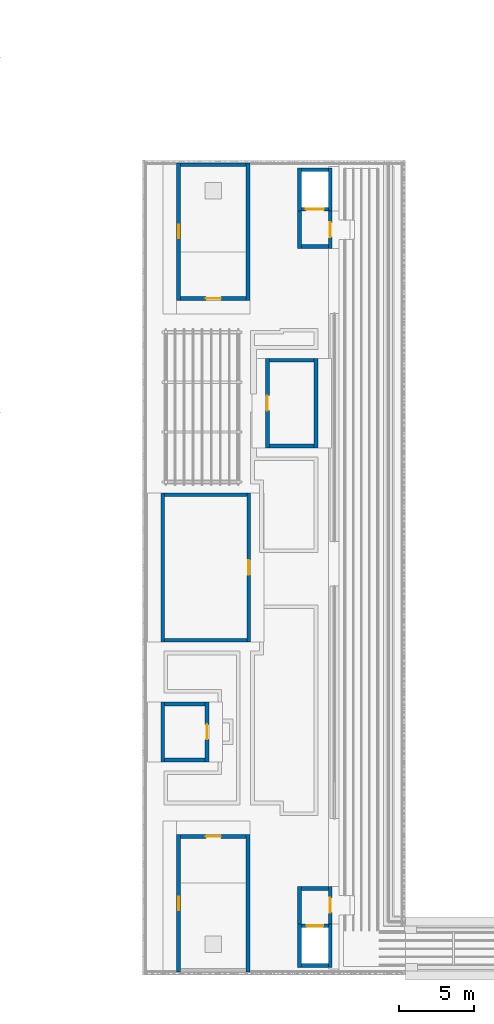
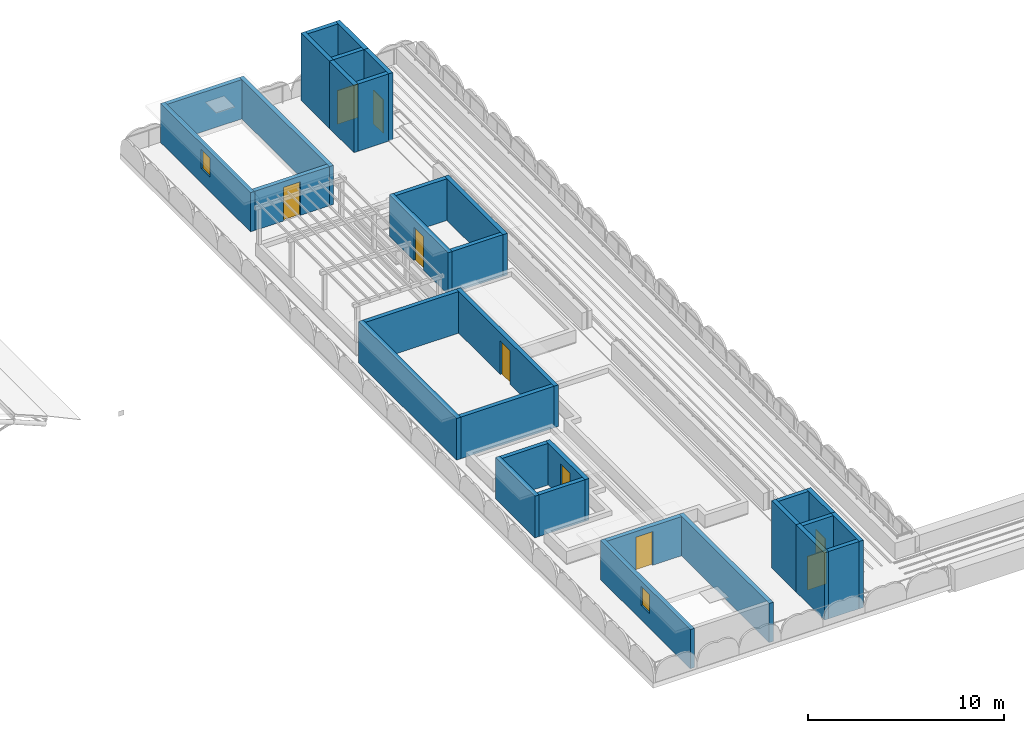
# One storey, part 10 of 22: 33 walls, 9 doors, 2 windows, 11 openings.
"""IFC4 building model written with IfcOpenShell, lengths in metres."""

from ifc_helpers import new_model, si_unit, direction, frame, frame_2d, origin, place, context, subcontext, project, spatial, rectangle, extrude, material, layer, layer_set, type_object, element, fill, save


model = new_model("IFC4")

# Units and contexts
model_context = context("Model", 3, precision=1e-05, world=origin(), true_north=direction((0.0, 1.0)))
body_context = subcontext(model_context, "Body", "Model", "MODEL_VIEW")
ifc_project = project(units=[si_unit("LENGTHUNIT", "METRE"), si_unit("AREAUNIT", "SQUARE_METRE"), si_unit("VOLUMEUNIT", "CUBIC_METRE"), si_unit("PLANEANGLEUNIT", "RADIAN"), si_unit("MASSUNIT", "GRAM", prefix="KILO")], contexts=[model_context])

# Site, building, storey
site_placement = place(None, origin())
site = spatial("IfcSite", under=ifc_project, at=site_placement, CompositionType="ELEMENT")
building_placement = place(site_placement, origin())
building = spatial("IfcBuilding", under=site, at=building_placement, Name="Elbe Cascade School", CompositionType="ELEMENT")
storey_placement = place(building_placement, frame((0.0, 0.0, 18.89990234375)))
storey = spatial("IfcBuildingStorey", under=building, at=storey_placement, Name="R05", CompositionType="ELEMENT", Elevation=18.89990234375)

# Wall
ifc_material_1 = material(Name="Concrete C30/37", Category="concrete")
ifc_layer_1 = layer(ifc_material_1, 0.25)
ifc_layer_set_1 = layer_set([ifc_layer_1], Name="Concrete C30/37")
wall_type_1 = type_object("IfcWallType", Name="Bar roof room wall RC 250", PredefinedType="SOLIDWALL", material=ifc_layer_set_1)
wall_1_placement = place(storey_placement, frame((70.125, 28.0, 0.0), z_axis=(0.0, 0.0, 1.0), x_axis=(0.0, 1.0, 0.0)))
element("IfcWall", 1, at=wall_1_placement, inside=storey, type_object=wall_type_1, Name="Bar roof room wall RC 250 W34", PredefinedType="SOLIDWALL", context=body_context, shape_type="SweptSolid", body=[
    extrude(rectangle(XDim=10.0, YDim=0.25, at=frame_2d((5.0, 0.0))), origin(), (0.0, 0.0, 1.0), 2.60009765625),
])

# Wall, opening, door
wall_2_placement = place(storey_placement, frame((75.875, 38.0, 0.0), z_axis=(0.0, 0.0, 1.0), x_axis=(0.0, -1.0, 0.0)))
wall_2 = element("IfcWall", 2, at=wall_2_placement, inside=storey, type_object=wall_type_1, Name="Bar roof room wall RC 250 W34", PredefinedType="SOLIDWALL", context=body_context, shape_type="SweptSolid", body=[
    extrude(rectangle(XDim=10.0, YDim=0.25, at=frame_2d((5.0, 0.0))), origin(), (0.0, 0.0, 1.0), 2.60009765625),
])
opening_1_placement = place(wall_2_placement, frame((4.5, 0.0, 0.0)))
opening_1 = element("IfcOpeningElement", 3, at=opening_1_placement, cuts=wall_2, Name="Opening D5.005", PredefinedType="OPENING", context=body_context, shape_type="SweptSolid", body=[
    extrude(rectangle(XDim=1.0, YDim=2.10009765625, at=frame_2d((0.5, 1.050048828125))), frame((0.0, 0.135009765625, 0.0), z_axis=(0.0, -1.0, 0.0), x_axis=(1.0, 0.0, 0.0)), (0.0, 0.0, 1.0), 0.27001953125),
])
ifc_material_2 = material(Name="Timber door leaf, fire-resisting, steel frame", Category="steel")
door_type_1 = type_object("IfcDoorType", Name="Bar door FD30 1000x2100", OperationType="NOTDEFINED", PredefinedType="DOOR", material=ifc_material_2)
door_1_placement = place(opening_1_placement, origin())
door_1 = element("IfcDoor", 4, at=door_1_placement, inside=storey, type_object=door_type_1, Name="Door A5.01", OperationType="SINGLE_SWING_LEFT", OverallHeight=2.10009765625, OverallWidth=1.0, PredefinedType="DOOR", context=body_context, shape_type="SweptSolid", body=[
    extrude(rectangle(XDim=1.0, YDim=2.10009765625, at=frame_2d((0.5, 1.050048828125))), frame((0.0, 0.02490234375, 0.0), z_axis=(0.0, -1.0, 0.0), x_axis=(1.0, 0.0, 0.0)), (0.0, 0.0, 1.0), 0.050048828125),
])
fill(opening_1, door_1)

# Walls
for number, where, z_axis, x_axis, name in (
    (5, (70.25, 28.125, 0.0), (0.0, 0.0, 1.0), (1.0, 0.0, 0.0), "Bar roof room wall RC 250 W34"),
    (6, (70.25, 37.875, 0.0), (0.0, 0.0, 1.0), (1.0, 0.0, 0.0), "Bar roof room wall RC 250 W34"),
):
    element("IfcWall", number, at=place(storey_placement, frame(where, z_axis=z_axis, x_axis=x_axis)), inside=storey, type_object=wall_type_1, Name=name, PredefinedType="SOLIDWALL", context=body_context, shape_type="SweptSolid", body=[
        extrude(rectangle(XDim=5.5, YDim=0.25, at=frame_2d((2.75, 0.0))), origin(), (0.0, 0.0, 1.0), 2.60009765625),
    ])
wall_3_placement = place(storey_placement, frame((70.125, 20.0, 0.0), z_axis=(0.0, 0.0, 1.0), x_axis=(0.0, 1.0, 0.0)))
element("IfcWall", 7, at=wall_3_placement, inside=storey, type_object=wall_type_1, Name="Bar roof room wall RC 250 W34", PredefinedType="SOLIDWALL", context=body_context, shape_type="SweptSolid", body=[
    extrude(rectangle(XDim=4.0, YDim=0.25, at=frame_2d((2.0, 0.0))), origin(), (0.0, 0.0, 1.0), 2.60009765625),
])

# Wall, opening, door
wall_4_placement = place(storey_placement, frame((73.074951171875, 24.0, 0.0), z_axis=(0.0, 0.0, 1.0), x_axis=(0.0, -1.0, 0.0)))
wall_4 = element("IfcWall", 8, at=wall_4_placement, inside=storey, type_object=wall_type_1, Name="Bar roof room wall RC 250 W34", PredefinedType="SOLIDWALL", context=body_context, shape_type="SweptSolid", body=[
    extrude(rectangle(XDim=4.0, YDim=0.25, at=frame_2d((2.0, 0.0))), origin(), (0.0, 0.0, 1.0), 2.60009765625),
])
opening_2_placement = place(wall_4_placement, frame((1.5, 0.0, 0.0)))
opening_2 = element("IfcOpeningElement", 9, at=opening_2_placement, cuts=wall_4, Name="Opening D5.004", PredefinedType="OPENING", context=body_context, shape_type="SweptSolid", body=[
    extrude(rectangle(XDim=1.0, YDim=2.10009765625, at=frame_2d((0.5, 1.050048828125))), frame((0.0, 0.135009765625, 0.0), z_axis=(0.0, -1.0, 0.0), x_axis=(1.0, 0.0, 0.0)), (0.0, 0.0, 1.0), 0.27001953125),
])
door_2_placement = place(opening_2_placement, origin())
door_2 = element("IfcDoor", 10, at=door_2_placement, inside=storey, type_object=door_type_1, Name="Door A5.02", OperationType="SINGLE_SWING_LEFT", OverallHeight=2.10009765625, OverallWidth=1.0, PredefinedType="DOOR", context=body_context, shape_type="SweptSolid", body=[
    extrude(rectangle(XDim=1.0, YDim=2.10009765625, at=frame_2d((0.5, 1.050048828125))), frame((0.0, 0.02490234375, 0.0), z_axis=(0.0, -1.0, 0.0), x_axis=(1.0, 0.0, 0.0)), (0.0, 0.0, 1.0), 0.050048828125),
])
fill(opening_2, door_2)

# Walls
for number, where, z_axis, x_axis, name in (
    (11, (70.25, 20.125, 0.0), (0.0, 0.0, 1.0), (1.0, 0.0, 0.0), "Bar roof room wall RC 250 W34"),
    (12, (70.25, 23.875, 0.0), (0.0, 0.0, 1.0), (1.0, 0.0, 0.0), "Bar roof room wall RC 250 W34"),
):
    element("IfcWall", number, at=place(storey_placement, frame(where, z_axis=z_axis, x_axis=x_axis)), inside=storey, type_object=wall_type_1, Name=name, PredefinedType="SOLIDWALL", context=body_context, shape_type="SweptSolid", body=[
        extrude(rectangle(XDim=2.699951171875, YDim=0.25, at=frame_2d((1.35009765625, 0.0))), origin(), (0.0, 0.0, 1.0), 2.60009765625),
    ])

# Wall, opening, door
wall_5_placement = place(storey_placement, frame((77.125, 41.0, 0.0), z_axis=(0.0, 0.0, 1.0), x_axis=(0.0, 1.0, 0.0)))
wall_5 = element("IfcWall", 13, at=wall_5_placement, inside=storey, type_object=wall_type_1, Name="Bar roof room wall RC 250 W34", PredefinedType="SOLIDWALL", context=body_context, shape_type="SweptSolid", body=[
    extrude(rectangle(XDim=6.0, YDim=0.25, at=frame_2d((3.0, 0.0))), origin(), (0.0, 0.0, 1.0), 2.60009765625),
])
opening_3_placement = place(wall_5_placement, frame((2.5, 0.0, 0.0)))
opening_3 = element("IfcOpeningElement", 14, at=opening_3_placement, cuts=wall_5, Name="Opening D5.006", PredefinedType="OPENING", context=body_context, shape_type="SweptSolid", body=[
    extrude(rectangle(XDim=1.0, YDim=2.10009765625, at=frame_2d((0.5, 1.050048828125))), frame((0.0, 0.135009765625, 0.0), z_axis=(0.0, -1.0, 0.0), x_axis=(1.0, 0.0, 0.0)), (0.0, 0.0, 1.0), 0.27001953125),
])
door_3_placement = place(opening_3_placement, origin())
door_3 = element("IfcDoor", 15, at=door_3_placement, inside=storey, type_object=door_type_1, Name="Door A5.03", OperationType="SINGLE_SWING_LEFT", OverallHeight=2.10009765625, OverallWidth=1.0, PredefinedType="DOOR", context=body_context, shape_type="SweptSolid", body=[
    extrude(rectangle(XDim=1.0, YDim=2.10009765625, at=frame_2d((0.5, 1.050048828125))), frame((0.0, 0.02490234375, 0.0), z_axis=(0.0, -1.0, 0.0), x_axis=(1.0, 0.0, 0.0)), (0.0, 0.0, 1.0), 0.050048828125),
])
fill(opening_3, door_3)

# Walls
wall_6_placement = place(storey_placement, frame((80.375, 47.0, 0.0), z_axis=(0.0, 0.0, 1.0), x_axis=(0.0, -1.0, 0.0)))
element("IfcWall", 16, at=wall_6_placement, inside=storey, type_object=wall_type_1, Name="Bar roof room wall RC 250 W34", PredefinedType="SOLIDWALL", context=body_context, shape_type="SweptSolid", body=[
    extrude(rectangle(XDim=6.0, YDim=0.25, at=frame_2d((3.0, 0.0))), origin(), (0.0, 0.0, 1.0), 2.60009765625),
])
for number, where, z_axis, x_axis, name in (
    (17, (77.25, 41.125, 0.0), (0.0, 0.0, 1.0), (1.0, 0.0, 0.0), "Bar roof room wall RC 250 W34"),
    (18, (77.25, 46.875, 0.0), (0.0, 0.0, 1.0), (1.0, 0.0, 0.0), "Bar roof room wall RC 250 W34"),
):
    element("IfcWall", number, at=place(storey_placement, frame(where, z_axis=z_axis, x_axis=x_axis)), inside=storey, type_object=wall_type_1, Name=name, PredefinedType="SOLIDWALL", context=body_context, shape_type="SweptSolid", body=[
        extrude(rectangle(XDim=3.0, YDim=0.25, at=frame_2d((1.5, 0.0))), origin(), (0.0, 0.0, 1.0), 2.60009765625),
    ])

# Wall, opening, window
ifc_material_3 = material(Name="Concrete C30/37", Category="concrete")
ifc_layer_2 = layer(ifc_material_3, 0.25)
ifc_layer_set_2 = layer_set([ifc_layer_2], Name="Concrete C30/37")
wall_type_2 = type_object("IfcWallType", Name="Head-house wall 250", PredefinedType="SOLIDWALL", material=ifc_layer_set_2)
wall_7_placement = place(storey_placement, frame((71.175048828125, 5.929931640625, 0.0), z_axis=(0.0, 0.0, 1.0), x_axis=(0.0, 1.0, 0.0)))
wall_7 = element("IfcWall", 19, at=wall_7_placement, inside=storey, type_object=wall_type_2, Name="Head-house wall 250 W2", PredefinedType="SOLIDWALL", context=body_context, shape_type="SweptSolid", body=[
    extrude(rectangle(XDim=9.195068359375, YDim=0.25, at=frame_2d((4.59765625, 0.0))), origin(), (0.0, 0.0, 1.0), 2.4501953125),
])
opening_4_placement = place(wall_7_placement, frame((4.1474609375, 0.0, 0.89990234375)))
opening_4 = element("IfcOpeningElement", 20, at=opening_4_placement, cuts=wall_7, Name="Opening W5.003", PredefinedType="OPENING", context=body_context, shape_type="SweptSolid", body=[
    extrude(rectangle(XDim=0.89990234375, YDim=1.199951171875, at=frame_2d((0.449951171875, 0.60009765625))), frame((0.0, 0.135009765625, 0.0), z_axis=(0.0, -1.0, 0.0), x_axis=(1.0, 0.0, 0.0)), (0.0, 0.0, 1.0), 0.27001953125),
])
ifc_material_4 = material(Name="Aluminium frame with double glazing, bronze anodised", Category="aluminium")
window_type = type_object("IfcWindowType", Name="Bars envelope Head-house window 900 x 1200, stair daylight, aluminium double glazed", PartitioningType="SINGLE_PANEL", PredefinedType="WINDOW", material=ifc_material_4)
window_1_placement = place(opening_4_placement, origin())
window_1 = element("IfcWindow", 21, at=window_1_placement, inside=storey, type_object=window_type, Name="Window WN10 A.R05.head-house south", OverallHeight=1.199951171875, OverallWidth=0.89990234375, PartitioningType="SINGLE_PANEL", PredefinedType="WINDOW", context=body_context, shape_type="SweptSolid", body=[
    extrude(rectangle(XDim=0.89990234375, YDim=1.199951171875, at=frame_2d((0.449951171875, 0.60009765625))), frame((0.0, 0.030029296875, 0.0), z_axis=(0.0, -1.0, 0.0), x_axis=(1.0, 0.0, 0.0)), (0.0, 0.0, 1.0), 0.06005859375),
])
fill(opening_4, window_1)

# Wall
wall_8_placement = place(storey_placement, frame((75.824951171875, 5.929931640625, 0.0), z_axis=(0.0, 0.0, 1.0), x_axis=(0.0, 1.0, 0.0)))
element("IfcWall", 22, at=wall_8_placement, inside=storey, type_object=wall_type_2, Name="Head-house wall 250 W2", PredefinedType="SOLIDWALL", context=body_context, shape_type="SweptSolid", body=[
    extrude(rectangle(XDim=9.195068359375, YDim=0.25, at=frame_2d((4.59765625, 0.0))), origin(), (0.0, 0.0, 1.0), 2.4501953125),
])

# Wall, opening, door
wall_9_placement = place(storey_placement, frame((71.300048828125, 15.0, 0.0), z_axis=(0.0, 0.0, 1.0), x_axis=(1.0, 0.0, 0.0)))
wall_9 = element("IfcWall", 23, at=wall_9_placement, inside=storey, type_object=wall_type_2, Name="Head-house wall 250 W2", PredefinedType="SOLIDWALL", context=body_context, shape_type="SweptSolid", body=[
    extrude(rectangle(XDim=4.39990234375, YDim=0.25, at=frame_2d((2.199951171875, 0.0))), origin(), (0.0, 0.0, 1.0), 2.4501953125),
])
opening_5_placement = place(wall_9_placement, frame((1.699951171875, 0.0, 0.0)))
opening_5 = element("IfcOpeningElement", 24, at=opening_5_placement, cuts=wall_9, Name="Opening D5.003", PredefinedType="OPENING", context=body_context, shape_type="SweptSolid", body=[
    extrude(rectangle(XDim=1.0, YDim=2.10009765625, at=frame_2d((0.5, 1.050048828125))), frame((0.0, 0.135009765625, 0.0), z_axis=(0.0, -1.0, 0.0), x_axis=(1.0, 0.0, 0.0)), (0.0, 0.0, 1.0), 0.27001953125),
])
ifc_material_5 = material(Name="Head-house door 1000x2100")
door_type_2 = type_object("IfcDoorType", Name="Head-house door 1000x2100", OperationType="SINGLE_SWING_RIGHT", PredefinedType="DOOR", material=ifc_material_5)
door_4_placement = place(opening_5_placement, origin())
door_4 = element("IfcDoor", 25, at=door_4_placement, inside=storey, type_object=door_type_2, Name="Head-house door 1000x2100 D5.003", OperationType="SINGLE_SWING_RIGHT", OverallHeight=2.10009765625, OverallWidth=1.0, PredefinedType="DOOR", context=body_context, shape_type="SweptSolid", body=[
    extrude(rectangle(XDim=1.0, YDim=2.10009765625, at=frame_2d((0.5, 1.050048828125))), frame((0.0, 0.02490234375, 0.0), z_axis=(0.0, -1.0, 0.0), x_axis=(1.0, 0.0, 0.0)), (0.0, 0.0, 1.0), 0.050048828125),
])
fill(opening_5, door_4)

# Wall, opening, window
wall_10_placement = place(storey_placement, frame((71.175048828125, 50.875, 0.0), z_axis=(0.0, 0.0, 1.0), x_axis=(0.0, 1.0, 0.0)))
wall_10 = element("IfcWall", 26, at=wall_10_placement, inside=storey, type_object=wall_type_2, Name="Head-house wall 250 W2", PredefinedType="SOLIDWALL", context=body_context, shape_type="SweptSolid", body=[
    extrude(rectangle(XDim=9.195068359375, YDim=0.25, at=frame_2d((4.59765625, 0.0))), origin(), (0.0, 0.0, 1.0), 2.4501953125),
])
opening_6_placement = place(wall_10_placement, frame((4.1474609375, 0.0, 0.89990234375)))
opening_6 = element("IfcOpeningElement", 27, at=opening_6_placement, cuts=wall_10, Name="Opening W5.004", PredefinedType="OPENING", context=body_context, shape_type="SweptSolid", body=[
    extrude(rectangle(XDim=0.89990234375, YDim=1.199951171875, at=frame_2d((0.449951171875, 0.60009765625))), frame((0.0, 0.135009765625, 0.0), z_axis=(0.0, -1.0, 0.0), x_axis=(1.0, 0.0, 0.0)), (0.0, 0.0, 1.0), 0.27001953125),
])
window_2_placement = place(opening_6_placement, origin())
window_2 = element("IfcWindow", 28, at=window_2_placement, inside=storey, type_object=window_type, Name="Window WN10 A.R05.head-house north", OverallHeight=1.199951171875, OverallWidth=0.89990234375, PartitioningType="SINGLE_PANEL", PredefinedType="WINDOW", context=body_context, shape_type="SweptSolid", body=[
    extrude(rectangle(XDim=0.89990234375, YDim=1.199951171875, at=frame_2d((0.449951171875, 0.60009765625))), frame((0.0, 0.030029296875, 0.0), z_axis=(0.0, -1.0, 0.0), x_axis=(1.0, 0.0, 0.0)), (0.0, 0.0, 1.0), 0.06005859375),
])
fill(opening_6, window_2)

# Wall
wall_11_placement = place(storey_placement, frame((75.824951171875, 50.875, 0.0), z_axis=(0.0, 0.0, 1.0), x_axis=(0.0, 1.0, 0.0)))
element("IfcWall", 29, at=wall_11_placement, inside=storey, type_object=wall_type_2, Name="Head-house wall 250 W2", PredefinedType="SOLIDWALL", context=body_context, shape_type="SweptSolid", body=[
    extrude(rectangle(XDim=9.195068359375, YDim=0.25, at=frame_2d((4.59765625, 0.0))), origin(), (0.0, 0.0, 1.0), 2.4501953125),
])

# Wall, opening, door
wall_12_placement = place(storey_placement, frame((75.699951171875, 51.0, 0.0), z_axis=(0.0, 0.0, 1.0), x_axis=(-1.0, 0.0, 0.0)))
wall_12 = element("IfcWall", 30, at=wall_12_placement, inside=storey, type_object=wall_type_2, Name="Head-house wall 250 W2", PredefinedType="SOLIDWALL", context=body_context, shape_type="SweptSolid", body=[
    extrude(rectangle(XDim=4.39990234375, YDim=0.25, at=frame_2d((2.199951171875, 0.0))), origin(), (0.0, 0.0, 1.0), 2.4501953125),
])
opening_7_placement = place(wall_12_placement, frame((1.699951171875, 0.0, 0.0)))
opening_7 = element("IfcOpeningElement", 31, at=opening_7_placement, cuts=wall_12, Name="Opening D5.007", PredefinedType="OPENING", context=body_context, shape_type="SweptSolid", body=[
    extrude(rectangle(XDim=1.0, YDim=2.10009765625, at=frame_2d((0.5, 1.050048828125))), frame((0.0, 0.135009765625, 0.0), z_axis=(0.0, -1.0, 0.0), x_axis=(1.0, 0.0, 0.0)), (0.0, 0.0, 1.0), 0.27001953125),
])
door_5_placement = place(opening_7_placement, origin())
door_5 = element("IfcDoor", 32, at=door_5_placement, inside=storey, type_object=door_type_2, Name="Head-house door 1000x2100 D5.007", OperationType="SINGLE_SWING_RIGHT", OverallHeight=2.10009765625, OverallWidth=1.0, PredefinedType="DOOR", context=body_context, shape_type="SweptSolid", body=[
    extrude(rectangle(XDim=1.0, YDim=2.10009765625, at=frame_2d((0.5, 1.050048828125))), frame((0.0, 0.02490234375, 0.0), z_axis=(0.0, -1.0, 0.0), x_axis=(1.0, 0.0, 0.0)), (0.0, 0.0, 1.0), 0.050048828125),
])
fill(opening_7, door_5)

# Walls
wall_13_placement = place(storey_placement, frame((71.300048828125, 59.945068359375, 0.0), z_axis=(0.0, 0.0, 1.0), x_axis=(1.0, 0.0, 0.0)))
element("IfcWall", 33, at=wall_13_placement, inside=storey, type_object=wall_type_2, Name="Head-house wall 250 W2", PredefinedType="SOLIDWALL", context=body_context, shape_type="SweptSolid", body=[
    extrude(rectangle(XDim=4.39990234375, YDim=0.25, at=frame_2d((2.199951171875, 0.0))), origin(), (0.0, 0.0, 1.0), 2.4501953125),
])
ifc_material_6 = material(Name="Concrete C30/37", Category="concrete")
ifc_layer_3 = layer(ifc_material_6, 0.25)
ifc_layer_set_3 = layer_set([ifc_layer_3], Name="Concrete C30/37")
wall_type_3 = type_object("IfcWallType", Name="Head-house wall 250 EI 90", PredefinedType="SOLIDWALL", material=ifc_layer_set_3)
wall_14_placement = place(storey_placement, frame((79.27490234375, 9.14990234375, 0.0), z_axis=(0.0, 0.0, 1.0), x_axis=(0.0, 1.0, 0.0)))
element("IfcWall", 34, at=wall_14_placement, inside=storey, type_object=wall_type_3, Name="Head-house wall 250 EI 90 W44", PredefinedType="SOLIDWALL", context=body_context, shape_type="SweptSolid", body=[
    extrude(rectangle(XDim=2.5, YDim=0.25, at=frame_2d((1.25, 0.0))), origin(), (0.0, 0.0, 1.0), 4.2001953125),
])

# Wall, opening, door
wall_15_placement = place(storey_placement, frame((81.324951171875, 11.64990234375, 0.0), z_axis=(0.0, 0.0, 1.0), x_axis=(0.0, -1.0, 0.0)))
wall_15 = element("IfcWall", 35, at=wall_15_placement, inside=storey, type_object=wall_type_3, Name="Head-house wall 250 EI 90 W44", PredefinedType="SOLIDWALL", context=body_context, shape_type="SweptSolid", body=[
    extrude(rectangle(XDim=2.5, YDim=0.25, at=frame_2d((1.25, 0.0))), origin(), (0.0, 0.0, 1.0), 4.2001953125),
])
opening_8_placement = place(wall_15_placement, frame((0.75, 0.0, 0.0)))
opening_8 = element("IfcOpeningElement", 36, at=opening_8_placement, cuts=wall_15, Name="Opening D5.002", PredefinedType="OPENING", context=body_context, shape_type="SweptSolid", body=[
    extrude(rectangle(XDim=1.0, YDim=2.10009765625, at=frame_2d((0.5, 1.050048828125))), frame((0.0, 0.135009765625, 0.0), z_axis=(0.0, -1.0, 0.0), x_axis=(1.0, 0.0, 0.0)), (0.0, 0.0, 1.0), 0.27001953125),
])
door_6_placement = place(opening_8_placement, origin())
door_6 = element("IfcDoor", 37, at=door_6_placement, inside=storey, type_object=door_type_2, Name="Head-house door 1000x2100 D5.002", OperationType="SINGLE_SWING_RIGHT", OverallHeight=2.10009765625, OverallWidth=1.0, PredefinedType="DOOR", context=body_context, shape_type="SweptSolid", body=[
    extrude(rectangle(XDim=1.0, YDim=2.10009765625, at=frame_2d((0.5, 1.050048828125))), frame((0.0, 0.02490234375, 0.0), z_axis=(0.0, -1.0, 0.0), x_axis=(1.0, 0.0, 0.0)), (0.0, 0.0, 1.0), 0.050048828125),
])
fill(opening_8, door_6)

# Walls
wall_16_placement = place(storey_placement, frame((79.39990234375, 11.52490234375, 0.0), z_axis=(0.0, 0.0, 1.0), x_axis=(1.0, 0.0, 0.0)))
element("IfcWall", 38, at=wall_16_placement, inside=storey, type_object=wall_type_3, Name="Head-house wall 250 EI 90 W44", PredefinedType="SOLIDWALL", context=body_context, shape_type="SweptSolid", body=[
    extrude(rectangle(XDim=1.800048828125, YDim=0.25, at=frame_2d((0.89990234375, 0.0))), origin(), (0.0, 0.0, 1.0), 4.2001953125),
])
wall_17_placement = place(storey_placement, frame((79.27490234375, 54.35009765625, 0.0), z_axis=(0.0, 0.0, 1.0), x_axis=(0.0, 1.0, 0.0)))
element("IfcWall", 39, at=wall_17_placement, inside=storey, type_object=wall_type_3, Name="Head-house wall 250 EI 90 W44", PredefinedType="SOLIDWALL", context=body_context, shape_type="SweptSolid", body=[
    extrude(rectangle(XDim=2.5, YDim=0.25, at=frame_2d((1.25, 0.0))), origin(), (0.0, 0.0, 1.0), 4.2001953125),
])

# Wall, opening, door
wall_18_placement = place(storey_placement, frame((81.324951171875, 56.85009765625, 0.0), z_axis=(0.0, 0.0, 1.0), x_axis=(0.0, -1.0, 0.0)))
wall_18 = element("IfcWall", 40, at=wall_18_placement, inside=storey, type_object=wall_type_3, Name="Head-house wall 250 EI 90 W44", PredefinedType="SOLIDWALL", context=body_context, shape_type="SweptSolid", body=[
    extrude(rectangle(XDim=2.5, YDim=0.25, at=frame_2d((1.25, 0.0))), origin(), (0.0, 0.0, 1.0), 4.2001953125),
])
opening_9_placement = place(wall_18_placement, frame((0.75, 0.0, 0.0)))
opening_9 = element("IfcOpeningElement", 41, at=opening_9_placement, cuts=wall_18, Name="Opening D5.008", PredefinedType="OPENING", context=body_context, shape_type="SweptSolid", body=[
    extrude(rectangle(XDim=1.0, YDim=2.10009765625, at=frame_2d((0.5, 1.050048828125))), frame((0.0, 0.135009765625, 0.0), z_axis=(0.0, -1.0, 0.0), x_axis=(1.0, 0.0, 0.0)), (0.0, 0.0, 1.0), 0.27001953125),
])
door_7_placement = place(opening_9_placement, origin())
door_7 = element("IfcDoor", 42, at=door_7_placement, inside=storey, type_object=door_type_2, Name="Head-house door 1000x2100 D5.008", OperationType="SINGLE_SWING_RIGHT", OverallHeight=2.10009765625, OverallWidth=1.0, PredefinedType="DOOR", context=body_context, shape_type="SweptSolid", body=[
    extrude(rectangle(XDim=1.0, YDim=2.10009765625, at=frame_2d((0.5, 1.050048828125))), frame((0.0, 0.02490234375, 0.0), z_axis=(0.0, -1.0, 0.0), x_axis=(1.0, 0.0, 0.0)), (0.0, 0.0, 1.0), 0.050048828125),
])
fill(opening_9, door_7)

# Walls
wall_19_placement = place(storey_placement, frame((79.39990234375, 54.47509765625, 0.0), z_axis=(0.0, 0.0, 1.0), x_axis=(1.0, 0.0, 0.0)))
element("IfcWall", 43, at=wall_19_placement, inside=storey, type_object=wall_type_3, Name="Head-house wall 250 EI 90 W44", PredefinedType="SOLIDWALL", context=body_context, shape_type="SweptSolid", body=[
    extrude(rectangle(XDim=1.800048828125, YDim=0.25, at=frame_2d((0.89990234375, 0.0))), origin(), (0.0, 0.0, 1.0), 4.2001953125),
])
ifc_material_7 = material(Name="Concrete C30/37", Category="concrete")
ifc_layer_4 = layer(ifc_material_7, 0.25)
ifc_layer_set_4 = layer_set([ifc_layer_4], Name="Concrete C30/37")
wall_type_4 = type_object("IfcWallType", Name="Shaft wall 250", PredefinedType="SHEAR", material=ifc_layer_set_4)
for number, where, z_axis, x_axis, name in (
    (44, (79.27490234375, 6.25, 0.0), (0.0, 0.0, 1.0), (0.0, 1.0, 0.0), "Shaft wall 250 W1"),
    (45, (81.324951171875, 6.25, 0.0), (0.0, 0.0, 1.0), (0.0, 1.0, 0.0), "Shaft wall 250 W1"),
):
    element("IfcWall", number, at=place(storey_placement, frame(where, z_axis=z_axis, x_axis=x_axis)), inside=storey, type_object=wall_type_4, Name=name, PredefinedType="SHEAR", context=body_context, shape_type="SweptSolid", body=[
        extrude(rectangle(XDim=2.89990234375, YDim=0.25, at=frame_2d((1.449951171875, 0.0))), origin(), (0.0, 0.0, 1.0), 4.2001953125),
    ])
wall_20_placement = place(storey_placement, frame((79.39990234375, 6.375, 0.0), z_axis=(0.0, 0.0, 1.0), x_axis=(1.0, 0.0, 0.0)))
element("IfcWall", 46, at=wall_20_placement, inside=storey, type_object=wall_type_4, Name="Shaft wall 250 W1", PredefinedType="SHEAR", context=body_context, shape_type="SweptSolid", body=[
    extrude(rectangle(XDim=1.800048828125, YDim=0.25, at=frame_2d((0.89990234375, 0.0))), origin(), (0.0, 0.0, 1.0), 4.2001953125),
])

# Wall, opening, door
wall_21_placement = place(storey_placement, frame((79.39990234375, 9.02490234375, 0.0), z_axis=(0.0, 0.0, 1.0), x_axis=(1.0, 0.0, 0.0)))
wall_21 = element("IfcWall", 47, at=wall_21_placement, inside=storey, type_object=wall_type_4, Name="Shaft wall 250 W1", PredefinedType="SHEAR", context=body_context, shape_type="SweptSolid", body=[
    extrude(rectangle(XDim=1.800048828125, YDim=0.25, at=frame_2d((0.89990234375, 0.0))), origin(), (0.0, 0.0, 1.0), 4.2001953125),
])
opening_10_placement = place(wall_21_placement, frame((0.35009765625, 0.0, 0.0)))
opening_10 = element("IfcOpeningElement", 48, at=opening_10_placement, cuts=wall_21, Name="Opening D5.001", PredefinedType="OPENING", context=body_context, shape_type="SweptSolid", body=[
    extrude(rectangle(XDim=1.10009765625, YDim=2.10009765625, at=frame_2d((0.550048828125, 1.050048828125))), frame((0.0, 0.135009765625, 0.0), z_axis=(0.0, -1.0, 0.0), x_axis=(1.0, 0.0, 0.0)), (0.0, 0.0, 1.0), 0.27001953125),
])
ifc_material_8 = material(Name="Stainless steel sliding door leaf", Category="steel")
door_type_3 = type_object("IfcDoorType", Name="Bar lift landing door 1100x2100", OperationType="SLIDING_TO_LEFT", PredefinedType="DOOR", material=ifc_material_8)
door_8_placement = place(opening_10_placement, origin())
door_8 = element("IfcDoor", 49, at=door_8_placement, inside=storey, type_object=door_type_3, Name="Lift landing door LDA5.1", OperationType="SLIDING_TO_LEFT", OverallHeight=2.10009765625, OverallWidth=1.10009765625, PredefinedType="DOOR", context=body_context, shape_type="SweptSolid", body=[
    extrude(rectangle(XDim=1.10009765625, YDim=2.10009765625, at=frame_2d((0.550048828125, 1.050048828125))), frame((0.0, 0.02490234375, 0.0), z_axis=(0.0, -1.0, 0.0), x_axis=(1.0, 0.0, 0.0)), (0.0, 0.0, 1.0), 0.050048828125),
])
fill(opening_10, door_8)

# Walls
for number, where, z_axis, x_axis, name in (
    (50, (79.27490234375, 56.85009765625, 0.0), (0.0, 0.0, 1.0), (0.0, 1.0, 0.0), "Shaft wall 250 W1"),
    (51, (81.324951171875, 56.85009765625, 0.0), (0.0, 0.0, 1.0), (0.0, 1.0, 0.0), "Shaft wall 250 W1"),
):
    element("IfcWall", number, at=place(storey_placement, frame(where, z_axis=z_axis, x_axis=x_axis)), inside=storey, type_object=wall_type_4, Name=name, PredefinedType="SHEAR", context=body_context, shape_type="SweptSolid", body=[
        extrude(rectangle(XDim=2.89990234375, YDim=0.25, at=frame_2d((1.449951171875, 0.0))), origin(), (0.0, 0.0, 1.0), 4.2001953125),
    ])

# Wall, opening, door
wall_22_placement = place(storey_placement, frame((79.39990234375, 56.97509765625, 0.0), z_axis=(0.0, 0.0, 1.0), x_axis=(1.0, 0.0, 0.0)))
wall_22 = element("IfcWall", 52, at=wall_22_placement, inside=storey, type_object=wall_type_4, Name="Shaft wall 250 W1", PredefinedType="SHEAR", context=body_context, shape_type="SweptSolid", body=[
    extrude(rectangle(XDim=1.800048828125, YDim=0.25, at=frame_2d((0.89990234375, 0.0))), origin(), (0.0, 0.0, 1.0), 4.2001953125),
])
opening_11_placement = place(wall_22_placement, frame((0.300048828125, 0.0, 0.0)))
opening_11 = element("IfcOpeningElement", 53, at=opening_11_placement, cuts=wall_22, Name="Opening D5.009", PredefinedType="OPENING", context=body_context, shape_type="SweptSolid", body=[
    extrude(rectangle(XDim=1.199951171875, YDim=2.10009765625, at=frame_2d((0.60009765625, 1.050048828125))), frame((0.0, 0.135009765625, 0.0), z_axis=(0.0, -1.0, 0.0), x_axis=(1.0, 0.0, 0.0)), (0.0, 0.0, 1.0), 0.27001953125),
])
ifc_material_9 = material(Name="Stainless steel sliding door leaf", Category="steel")
door_type_4 = type_object("IfcDoorType", Name="Bar lift landing door 1200x2100", OperationType="SLIDING_TO_LEFT", PredefinedType="DOOR", material=ifc_material_9)
door_9_placement = place(opening_11_placement, origin())
door_9 = element("IfcDoor", 54, at=door_9_placement, inside=storey, type_object=door_type_4, Name="Lift landing door LDA5.2", OperationType="SLIDING_TO_LEFT", OverallHeight=2.10009765625, OverallWidth=1.199951171875, PredefinedType="DOOR", context=body_context, shape_type="SweptSolid", body=[
    extrude(rectangle(XDim=1.199951171875, YDim=2.10009765625, at=frame_2d((0.60009765625, 1.050048828125))), frame((0.0, 0.02490234375, 0.0), z_axis=(0.0, -1.0, 0.0), x_axis=(1.0, 0.0, 0.0)), (0.0, 0.0, 1.0), 0.050048828125),
])
fill(opening_11, door_9)

# Wall
wall_23_placement = place(storey_placement, frame((79.39990234375, 59.625, 0.0), z_axis=(0.0, 0.0, 1.0), x_axis=(1.0, 0.0, 0.0)))
element("IfcWall", 55, at=wall_23_placement, inside=storey, type_object=wall_type_4, Name="Shaft wall 250 W1", PredefinedType="SHEAR", context=body_context, shape_type="SweptSolid", body=[
    extrude(rectangle(XDim=1.800048828125, YDim=0.25, at=frame_2d((0.89990234375, 0.0))), origin(), (0.0, 0.0, 1.0), 4.2001953125),
])

save(model, "model.ifc")
